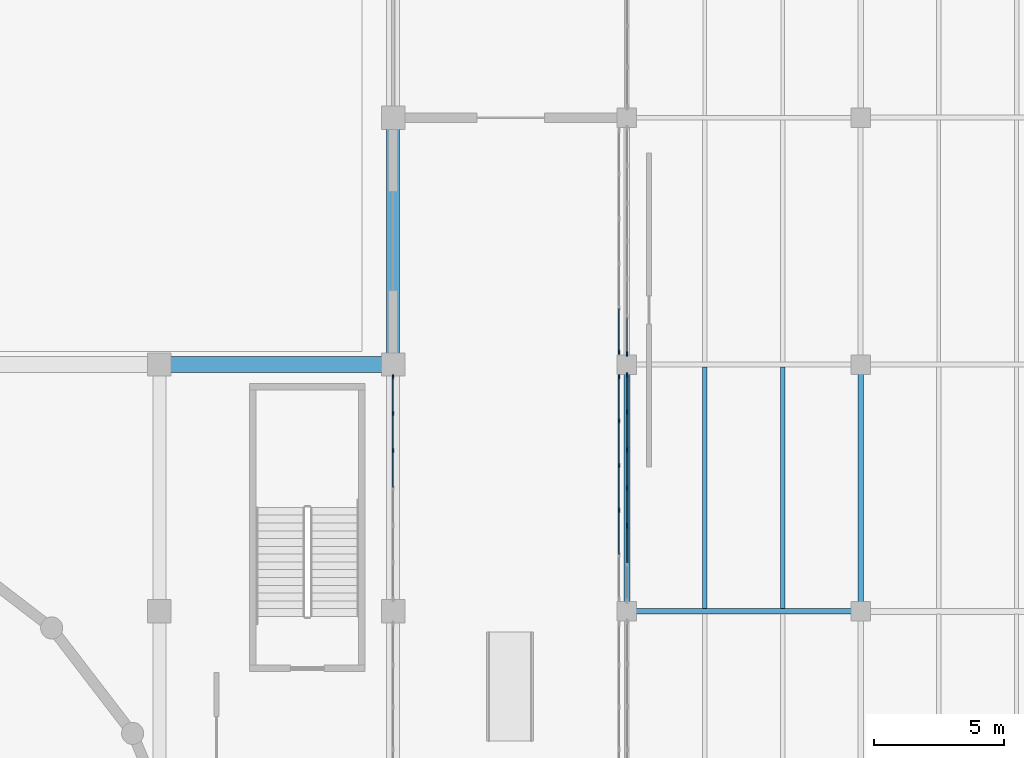
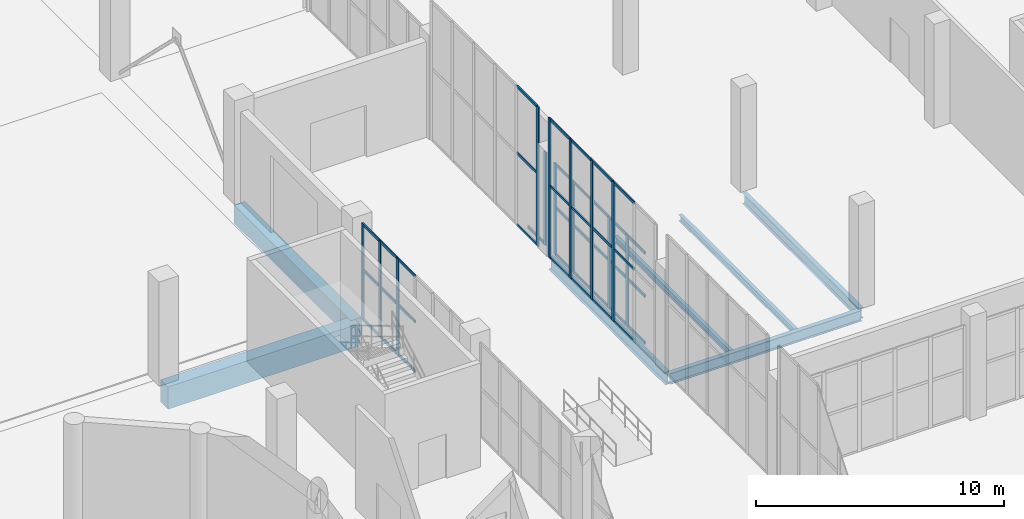
# One storey, part 53 of 103: 54 members, 7 beams, 5 elements without a shape of their own.
"""IFC4 building model written with IfcOpenShell, lengths in metres."""

from ifc_helpers import new_model, si_unit, direction, frame, origin, origin_2d, place, context, subcontext, project, spatial, rectangle, i_section, extrude, material, layer, layer_set, material_profile, profile_set, type_object, element, aggregate, save


model = new_model("IFC4")

# Units and contexts
model_context = context("Model", 3, precision=1e-05, world=origin(), true_north=direction((0.0, 1.0)))
body_context = subcontext(model_context, "Body", "Model", "MODEL_VIEW")
ifc_project = project(units=[si_unit("LENGTHUNIT", "METRE"), si_unit("AREAUNIT", "SQUARE_METRE"), si_unit("VOLUMEUNIT", "CUBIC_METRE"), si_unit("PLANEANGLEUNIT", "RADIAN"), si_unit("MASSUNIT", "GRAM", prefix="KILO")], contexts=[model_context])

# Site, building, storey
site_placement = place(None, origin())
site = spatial("IfcSite", under=ifc_project, at=site_placement, CompositionType="ELEMENT")
building_placement = place(site_placement, origin())
building = spatial("IfcBuilding", under=site, at=building_placement, Name="Marnock Terrace Opera House", CompositionType="ELEMENT")
storey_placement = place(building_placement, origin())
storey = spatial("IfcBuildingStorey", under=building, at=storey_placement, Name="L00", CompositionType="ELEMENT", Elevation=0.0)

# Beams
ifc_material_1 = material(Name="Concrete N40 (f'c = 40 MPa)", Category="concrete")
ifc_material_profile_1 = material_profile(ifc_material_1, rectangle(XDim=0.5, YDim=0.89990234375, at=origin_2d()))
ifc_profile_set_1 = profile_set([ifc_material_profile_1], Name="Concrete N40 (f'c = 40 MPa)")
beam_type_1 = type_object("IfcBeamType", Name="BM-B1-RC500", PredefinedType="BEAM", material=ifc_profile_set_1)
beam_1_placement = place(storey_placement, frame((109.0, 84.550048828125, -0.75), z_axis=(0.0, 1.0, 0.0), x_axis=(-1.0, 0.0, 0.0)))
element("IfcBeam", 1, at=beam_1_placement, inside=storey, type_object=beam_type_1, Name="L00 girder (X=109.0, 84.5..94.0)", PredefinedType="BEAM", context=body_context, shape_type="SweptSolid", body=[
    extrude(rectangle(XDim=0.5, YDim=0.89990234375, at=origin_2d()), origin(), (0.0, 0.0, 1.0), 9.39990234375),
])
ifc_material_profile_2 = material_profile(ifc_material_1, rectangle(XDim=0.60009765625, YDim=1.10009765625, at=origin_2d()))
ifc_profile_set_2 = profile_set([ifc_material_profile_2], Name="Concrete N40 (f'c = 40 MPa)")
beam_type_2 = type_object("IfcBeamType", Name="BM-B1-RC600", PredefinedType="BEAM", material=ifc_profile_set_2)
beam_2_placement = place(storey_placement, frame((100.050048828125, 84.5, -0.85009765625), z_axis=(1.0, 0.0, 0.0), x_axis=(0.0, 1.0, 0.0)))
element("IfcBeam", 2, at=beam_2_placement, inside=storey, type_object=beam_type_2, Name="L00 girder (100.0..109.0, Y=84.5)", PredefinedType="BEAM", context=body_context, shape_type="SweptSolid", body=[
    extrude(rectangle(XDim=0.60009765625, YDim=1.10009765625, at=origin_2d()), origin(), (0.0, 0.0, 1.0), 8.89990234375),
])
ifc_material_2 = material(Name="Steel Grade 350 (AS/NZS 3679.1)", Category="steel")
ifc_material_profile_3 = material_profile(ifc_material_2, i_section(OverallWidth=0.208984375, OverallDepth=0.532958984375, WebThickness=0.01025390625, FlangeThickness=0.015625, FilletRadius=0.013916015625, at=origin_2d()))
ifc_profile_set_3 = profile_set([ifc_material_profile_3], Name="Steel Grade 350 (AS/NZS 3679.1)")
beam_type_3 = type_object("IfcBeamType", Name="BM-GIRD-530A", PredefinedType="BEAM", material=ifc_profile_set_3)
beam_3_placement = place(storey_placement, frame((118.050048828125, 75.0, -0.56640625), z_axis=(1.0, 0.0, 0.0), x_axis=(0.0, 1.0, 0.0)))
element("IfcBeam", 3, at=beam_3_placement, inside=storey, type_object=beam_type_3, Name="L00 girder (118.0..127.0, Y=75.0)", PredefinedType="BEAM", context=body_context, shape_type="SweptSolid", body=[
    extrude(i_section(OverallWidth=0.208984375, OverallDepth=0.532958984375, WebThickness=0.01025390625, FlangeThickness=0.015625, FilletRadius=0.013916015625, at=origin_2d()), origin(), (0.0, 0.0, 1.0), 8.89990234375),
])
ifc_material_profile_4 = material_profile(ifc_material_2, i_section(OverallWidth=0.208984375, OverallDepth=0.528076171875, WebThickness=0.009521484375, FlangeThickness=0.01318359375, FilletRadius=0.013916015625, at=origin_2d()))
ifc_profile_set_4 = profile_set([ifc_material_profile_4], Name="Steel Grade 350 (AS/NZS 3679.1)")
beam_type_4 = type_object("IfcBeamType", Name="BM-GIRD-530B", PredefinedType="BEAM", material=ifc_profile_set_4)
beam_4_placement = place(storey_placement, frame((127.0, 75.050048828125, -0.56396484375), z_axis=(0.0, 1.0, 0.0), x_axis=(-1.0, 0.0, 0.0)))
element("IfcBeam", 4, at=beam_4_placement, inside=storey, type_object=beam_type_4, Name="L00 girder (X=127.0, 75.0..84.5)", PredefinedType="BEAM", context=body_context, shape_type="SweptSolid", body=[
    extrude(i_section(OverallWidth=0.208984375, OverallDepth=0.528076171875, WebThickness=0.009521484375, FlangeThickness=0.01318359375, FilletRadius=0.013916015625, at=origin_2d()), origin(), (0.0, 0.0, 1.0), 9.39990234375),
])
ifc_material_profile_5 = material_profile(ifc_material_2, i_section(OverallWidth=0.22802734375, OverallDepth=0.60205078125, WebThickness=0.010498046875, FlangeThickness=0.014892578125, FilletRadius=0.013916015625, at=origin_2d()))
ifc_profile_set_5 = profile_set([ifc_material_profile_5], Name="Steel Grade 350 (AS/NZS 3679.1)")
beam_type_5 = type_object("IfcBeamType", Name="BM-GIRD-610C", PredefinedType="BEAM", material=ifc_profile_set_5)
beam_5_placement = place(storey_placement, frame((118.0, 75.050048828125, -0.60107421875), z_axis=(0.0, 1.0, 0.0), x_axis=(-1.0, 0.0, 0.0)))
element("IfcBeam", 5, at=beam_5_placement, inside=storey, type_object=beam_type_5, Name="L00 girder (X=118.0, 75.0..84.5)", PredefinedType="BEAM", context=body_context, shape_type="SweptSolid", body=[
    extrude(i_section(OverallWidth=0.22802734375, OverallDepth=0.60205078125, WebThickness=0.010498046875, FlangeThickness=0.014892578125, FilletRadius=0.013916015625, at=origin_2d()), origin(), (0.0, 0.0, 1.0), 9.39990234375),
])
ifc_material_profile_6 = material_profile(ifc_material_2, i_section(OverallWidth=0.166015625, OverallDepth=0.30712890625, WebThickness=0.006591796875, FlangeThickness=0.01171875, FilletRadius=0.011474609375, at=origin_2d()))
ifc_profile_set_6 = profile_set([ifc_material_profile_6], Name="Steel Grade 350 (AS/NZS 3679.1)")
beam_type_6 = type_object("IfcBeamType", Name="BM-JOIST-310A", PredefinedType="JOIST", material=ifc_profile_set_6)
for number, where, z_axis, x_axis, name in (
    (6, (121.0, 75.099609375, -0.45361328125), (0.0, 1.0, 0.0), (-1.0, 0.0, 0.0), "L00 secondary joist 13.9.1"),
    (7, (124.0, 75.099609375, -0.45361328125), (0.0, 1.0, 0.0), (-1.0, 0.0, 0.0), "L00 secondary joist 13.9.2"),
):
    element("IfcBeam", number, at=place(storey_placement, frame(where, z_axis=z_axis, x_axis=x_axis)), inside=storey, type_object=beam_type_6, Name=name, PredefinedType="JOIST", context=body_context, shape_type="SweptSolid", body=[
        extrude(i_section(OverallWidth=0.166015625, OverallDepth=0.30712890625, WebThickness=0.006591796875, FlangeThickness=0.01171875, FilletRadius=0.011474609375, at=origin_2d()), origin(), (0.0, 0.0, 1.0), 9.309814453125),
    ])

# Curtain wall, members
ifc_material_3 = material(Name="Anodised architectural bronze aluminium framing", Category="aluminium")
ifc_layer_1 = layer(ifc_material_3, 0.159912109375)
ifc_layer_set_1 = layer_set([ifc_layer_1], Name="Anodised architectural bronze aluminium framing")
curtain_wall_type_1 = type_object("IfcCurtainWallType", Name="CW-FOYER-90x51", PredefinedType="NOTDEFINED", material=ifc_layer_set_1)
curtain_wall_1_placement = place(storey_placement, origin())
curtain_wall_1 = element("IfcCurtainWall", 8, at=curtain_wall_1_placement, inside=storey, type_object=curtain_wall_type_1, Name="L00 glazed Beaux-Arts colonnade curtain wall CW-V1E-L00-09", PredefinedType="NOTDEFINED")
ifc_material_profile_7 = material_profile(ifc_material_3, rectangle(XDim=0.06494140625, YDim=0.179931640625, at=origin_2d()))
ifc_profile_set_7 = profile_set([ifc_material_profile_7], Name="Anodised architectural bronze aluminium framing")
member_type_1 = type_object("IfcMemberType", Name="CWM-65x180", PredefinedType="MULLION", material=ifc_profile_set_7)
member_1_placement = place(storey_placement, frame((109.0, 81.1845703125, 0.0), z_axis=(0.0, 0.0, 1.0), x_axis=(-1.0, 0.0, 0.0)))
member_1 = element("IfcMember", 9, at=member_1_placement, type_object=member_type_1, Name="CW-31 mullion 5", PredefinedType="MULLION", context=body_context, shape_type="SweptSolid", body=[
    extrude(rectangle(XDim=0.06494140625, YDim=0.179931640625, at=origin_2d()), origin(), (0.0, 0.0, 1.0), 4.734375),
])
member_2_placement = place(storey_placement, frame((109.0, 82.619384765625, 0.0), z_axis=(0.0, 0.0, 1.0), x_axis=(-1.0, 0.0, 0.0)))
member_2 = element("IfcMember", 10, at=member_2_placement, type_object=member_type_1, Name="CW-31 mullion 6", PredefinedType="MULLION", context=body_context, shape_type="SweptSolid", body=[
    extrude(rectangle(XDim=0.06494140625, YDim=0.179931640625, at=origin_2d()), origin(), (0.0, 0.0, 1.0), 4.734375),
])
member_3_placement = place(storey_placement, frame((109.0, 84.02392578125, 0.0), z_axis=(0.0, 0.0, 1.0), x_axis=(-1.0, 0.0, 0.0)))
member_3 = element("IfcMember", 11, at=member_3_placement, type_object=member_type_1, Name="CW-31 mullion 7", PredefinedType="MULLION", context=body_context, shape_type="SweptSolid", body=[
    extrude(rectangle(XDim=0.06494140625, YDim=0.179931640625, at=origin_2d()), origin(), (0.0, 0.0, 1.0), 4.734375),
])

ifc_layer_2 = layer(ifc_material_3, 0.159912109375)
ifc_layer_set_2 = layer_set([ifc_layer_2], Name="Anodised architectural bronze aluminium framing")
curtain_wall_type_2 = type_object("IfcCurtainWallType", Name="CW-FOYER-95x51", PredefinedType="NOTDEFINED", material=ifc_layer_set_2)
curtain_wall_2_placement = place(storey_placement, origin())
curtain_wall_2 = element("IfcCurtainWall", 12, at=curtain_wall_2_placement, inside=storey, type_object=curtain_wall_type_2, Name="L00 glazed Beaux-Arts colonnade curtain wall CW-V5-L00-W6", PredefinedType="NOTDEFINED")
member_4_placement = place(storey_placement, frame((118.0, 78.290283203125, 0.0), z_axis=(0.0, 0.0, 1.0), x_axis=(-1.0, 0.0, 0.0)))
member_4 = element("IfcMember", 13, at=member_4_placement, type_object=member_type_1, Name="CW-24 mullion 3", PredefinedType="MULLION", context=body_context, shape_type="SweptSolid", body=[
    extrude(rectangle(XDim=0.06494140625, YDim=0.179931640625, at=origin_2d()), origin(), (0.0, 0.0, 1.0), 4.488037109375),
])
member_5_placement = place(storey_placement, frame((118.0, 79.75, 0.0), z_axis=(0.0, 0.0, 1.0), x_axis=(-1.0, 0.0, 0.0)))
member_5 = element("IfcMember", 14, at=member_5_placement, type_object=member_type_1, Name="CW-24 mullion 4", PredefinedType="MULLION", context=body_context, shape_type="SweptSolid", body=[
    extrude(rectangle(XDim=0.06494140625, YDim=0.179931640625, at=origin_2d()), origin(), (0.0, 0.0, 1.0), 4.488037109375),
])
member_6_placement = place(storey_placement, frame((118.0, 81.209716796875, 0.0), z_axis=(0.0, 0.0, 1.0), x_axis=(-1.0, 0.0, 0.0)))
member_6 = element("IfcMember", 15, at=member_6_placement, type_object=member_type_1, Name="CW-24 mullion 5", PredefinedType="MULLION", context=body_context, shape_type="SweptSolid", body=[
    extrude(rectangle(XDim=0.06494140625, YDim=0.179931640625, at=origin_2d()), origin(), (0.0, 0.0, 1.0), 4.488037109375),
])
member_7_placement = place(storey_placement, frame((118.0, 82.66943359375, 0.0), z_axis=(0.0, 0.0, 1.0), x_axis=(-1.0, 0.0, 0.0)))
member_7 = element("IfcMember", 16, at=member_7_placement, type_object=member_type_1, Name="CW-24 mullion 6", PredefinedType="MULLION", context=body_context, shape_type="SweptSolid", body=[
    extrude(rectangle(XDim=0.06494140625, YDim=0.179931640625, at=origin_2d()), origin(), (0.0, 0.0, 1.0), 4.488037109375),
])
member_8_placement = place(storey_placement, frame((118.0, 84.09912109375, 0.0), z_axis=(0.0, 0.0, 1.0), x_axis=(-1.0, 0.0, 0.0)))
member_8 = element("IfcMember", 17, at=member_8_placement, type_object=member_type_1, Name="CW-24 mullion 7", PredefinedType="MULLION", context=body_context, shape_type="SweptSolid", body=[
    extrude(rectangle(XDim=0.06494140625, YDim=0.179931640625, at=origin_2d()), origin(), (0.0, 0.0, 1.0), 4.488037109375),
])

# Curtain wall, member
curtain_wall_3_placement = place(storey_placement, origin())
curtain_wall_3 = element("IfcCurtainWall", 18, at=curtain_wall_3_placement, inside=storey, type_object=curtain_wall_type_2, Name="L00 glazed Beaux-Arts colonnade curtain wall CW-V5-L00-W7", PredefinedType="NOTDEFINED")
member_9_placement = place(storey_placement, frame((118.0, 84.90087890625, 0.0), z_axis=(0.0, 0.0, 1.0), x_axis=(-1.0, 0.0, 0.0)))
member_9 = element("IfcMember", 19, at=member_9_placement, type_object=member_type_1, Name="CW-24 mullion 1", PredefinedType="MULLION", context=body_context, shape_type="SweptSolid", body=[
    extrude(rectangle(XDim=0.06494140625, YDim=0.179931640625, at=origin_2d()), origin(), (0.0, 0.0, 1.0), 4.56201171875),
])

# Curtain wall, members
ifc_layer_3 = layer(ifc_material_3, 0.159912109375)
ifc_layer_set_3 = layer_set([ifc_layer_3], Name="Anodised architectural bronze aluminium framing")
curtain_wall_type_3 = type_object("IfcCurtainWallType", Name="CW-PASSAGE-81x68", PredefinedType="NOTDEFINED", material=ifc_layer_set_3)
curtain_wall_4_placement = place(storey_placement, origin())
curtain_wall_4 = element("IfcCurtainWall", 20, at=curtain_wall_4_placement, inside=storey, type_object=curtain_wall_type_3, Name="L00 glazed Beaux-Arts colonnade curtain wall CW-PASSAGE-L00-09", PredefinedType="NOTDEFINED")
member_10_placement = place(storey_placement, frame((117.699951171875, 78.889892578125, 0.0), z_axis=(0.0, 0.0, 1.0), x_axis=(-1.0, 0.0, 0.0)))
member_10 = element("IfcMember", 21, at=member_10_placement, type_object=member_type_1, Name="CW-65 mullion 3", PredefinedType="MULLION", context=body_context, shape_type="SweptSolid", body=[
    extrude(rectangle(XDim=0.06494140625, YDim=0.179931640625, at=origin_2d()), origin(), (0.0, 0.0, 1.0), 6.85009765625),
])
member_11_placement = place(storey_placement, frame((117.699951171875, 80.610107421875, 0.0), z_axis=(0.0, 0.0, 1.0), x_axis=(-1.0, 0.0, 0.0)))
member_11 = element("IfcMember", 22, at=member_11_placement, type_object=member_type_1, Name="CW-65 mullion 4", PredefinedType="MULLION", context=body_context, shape_type="SweptSolid", body=[
    extrude(rectangle(XDim=0.06494140625, YDim=0.179931640625, at=origin_2d()), origin(), (0.0, 0.0, 1.0), 6.85009765625),
])
member_12_placement = place(storey_placement, frame((117.699951171875, 82.330078125, 0.0), z_axis=(0.0, 0.0, 1.0), x_axis=(-1.0, 0.0, 0.0)))
member_12 = element("IfcMember", 23, at=member_12_placement, type_object=member_type_1, Name="CW-65 mullion 5", PredefinedType="MULLION", context=body_context, shape_type="SweptSolid", body=[
    extrude(rectangle(XDim=0.06494140625, YDim=0.179931640625, at=origin_2d()), origin(), (0.0, 0.0, 1.0), 6.85009765625),
])
member_13_placement = place(storey_placement, frame((117.699951171875, 84.02001953125, 0.0), z_axis=(0.0, 0.0, 1.0), x_axis=(-1.0, 0.0, 0.0)))
member_13 = element("IfcMember", 24, at=member_13_placement, type_object=member_type_1, Name="CW-65 mullion 6", PredefinedType="MULLION", context=body_context, shape_type="SweptSolid", body=[
    extrude(rectangle(XDim=0.06494140625, YDim=0.179931640625, at=origin_2d()), origin(), (0.0, 0.0, 1.0), 6.85009765625),
])

# Curtain wall, member
curtain_wall_5_placement = place(storey_placement, origin())
curtain_wall_5 = element("IfcCurtainWall", 25, at=curtain_wall_5_placement, inside=storey, type_object=curtain_wall_type_3, Name="L00 glazed Beaux-Arts colonnade curtain wall CW-PASSAGE-L00-10", PredefinedType="NOTDEFINED")
member_14_placement = place(storey_placement, frame((117.699951171875, 84.97998046875, 0.0), z_axis=(0.0, 0.0, 1.0), x_axis=(-1.0, 0.0, 0.0)))
member_14 = element("IfcMember", 26, at=member_14_placement, type_object=member_type_1, Name="CW-65 mullion 1", PredefinedType="MULLION", context=body_context, shape_type="SweptSolid", body=[
    extrude(rectangle(XDim=0.06494140625, YDim=0.179931640625, at=origin_2d()), origin(), (0.0, 0.0, 1.0), 6.85009765625),
])

# Member
ifc_material_profile_8 = material_profile(ifc_material_3, rectangle(XDim=0.06005859375, YDim=0.1298828125, at=origin_2d()))
ifc_profile_set_8 = profile_set([ifc_material_profile_8], Name="Anodised architectural bronze aluminium framing")
member_type_2 = type_object("IfcMemberType", Name="CWT-60x130", PredefinedType="USERDEFINED", material=ifc_profile_set_8)
member_15_placement = place(storey_placement, frame((109.0, 79.780029296875, 0.030029296875), z_axis=(0.0, 1.0, 0.0), x_axis=(-1.0, 0.0, 0.0)))
member_15 = element("IfcMember", 27, at=member_15_placement, type_object=member_type_2, Name="CW-31 transom 4.1", ObjectType="TRANSOM", PredefinedType="USERDEFINED", context=body_context, shape_type="SweptSolid", body=[
    extrude(rectangle(XDim=0.06005859375, YDim=0.1298828125, at=origin_2d()), origin(), (0.0, 0.0, 1.0), 1.374755859375),
])

member_16_placement = place(storey_placement, frame((109.0, 79.780029296875, 2.4619140625), z_axis=(0.0, 1.0, 0.0), x_axis=(-1.0, 0.0, 0.0)))
member_16 = element("IfcMember", 28, at=member_16_placement, type_object=member_type_2, Name="CW-31 transom 4.2", ObjectType="TRANSOM", PredefinedType="USERDEFINED", context=body_context, shape_type="SweptSolid", body=[
    extrude(rectangle(XDim=0.06005859375, YDim=0.1298828125, at=origin_2d()), origin(), (0.0, 0.0, 1.0), 1.374755859375),
])

member_17_placement = place(storey_placement, frame((109.0, 79.780029296875, 4.704345703125), z_axis=(0.0, 1.0, 0.0), x_axis=(-1.0, 0.0, 0.0)))
member_17 = element("IfcMember", 29, at=member_17_placement, type_object=member_type_2, Name="CW-31 transom 4.3", ObjectType="TRANSOM", PredefinedType="USERDEFINED", context=body_context, shape_type="SweptSolid", body=[
    extrude(rectangle(XDim=0.06005859375, YDim=0.1298828125, at=origin_2d()), origin(), (0.0, 0.0, 1.0), 1.374755859375),
])

member_18_placement = place(storey_placement, frame((109.0, 81.214599609375, 0.030029296875), z_axis=(0.0, 1.0, 0.0), x_axis=(-1.0, 0.0, 0.0)))
member_18 = element("IfcMember", 30, at=member_18_placement, type_object=member_type_2, Name="CW-31 transom 5.1", ObjectType="TRANSOM", PredefinedType="USERDEFINED", context=body_context, shape_type="SweptSolid", body=[
    extrude(rectangle(XDim=0.06005859375, YDim=0.1298828125, at=origin_2d()), origin(), (0.0, 0.0, 1.0), 1.374755859375),
])

member_19_placement = place(storey_placement, frame((109.0, 81.214599609375, 2.4619140625), z_axis=(0.0, 1.0, 0.0), x_axis=(-1.0, 0.0, 0.0)))
member_19 = element("IfcMember", 31, at=member_19_placement, type_object=member_type_2, Name="CW-31 transom 5.2", ObjectType="TRANSOM", PredefinedType="USERDEFINED", context=body_context, shape_type="SweptSolid", body=[
    extrude(rectangle(XDim=0.06005859375, YDim=0.1298828125, at=origin_2d()), origin(), (0.0, 0.0, 1.0), 1.374755859375),
])

member_20_placement = place(storey_placement, frame((109.0, 81.214599609375, 4.704345703125), z_axis=(0.0, 1.0, 0.0), x_axis=(-1.0, 0.0, 0.0)))
member_20 = element("IfcMember", 32, at=member_20_placement, type_object=member_type_2, Name="CW-31 transom 5.3", ObjectType="TRANSOM", PredefinedType="USERDEFINED", context=body_context, shape_type="SweptSolid", body=[
    extrude(rectangle(XDim=0.06005859375, YDim=0.1298828125, at=origin_2d()), origin(), (0.0, 0.0, 1.0), 1.374755859375),
])

member_21_placement = place(storey_placement, frame((109.0, 82.6494140625, 0.030029296875), z_axis=(0.0, 1.0, 0.0), x_axis=(-1.0, 0.0, 0.0)))
member_21 = element("IfcMember", 33, at=member_21_placement, type_object=member_type_2, Name="CW-31 transom 6.1", ObjectType="TRANSOM", PredefinedType="USERDEFINED", context=body_context, shape_type="SweptSolid", body=[
    extrude(rectangle(XDim=0.06005859375, YDim=0.1298828125, at=origin_2d()), origin(), (0.0, 0.0, 1.0), 1.344482421875),
])

member_22_placement = place(storey_placement, frame((109.0, 82.6494140625, 2.4619140625), z_axis=(0.0, 1.0, 0.0), x_axis=(-1.0, 0.0, 0.0)))
member_22 = element("IfcMember", 34, at=member_22_placement, type_object=member_type_2, Name="CW-31 transom 6.2", ObjectType="TRANSOM", PredefinedType="USERDEFINED", context=body_context, shape_type="SweptSolid", body=[
    extrude(rectangle(XDim=0.06005859375, YDim=0.1298828125, at=origin_2d()), origin(), (0.0, 0.0, 1.0), 1.344482421875),
])

member_23_placement = place(storey_placement, frame((109.0, 82.6494140625, 4.704345703125), z_axis=(0.0, 1.0, 0.0), x_axis=(-1.0, 0.0, 0.0)))
member_23 = element("IfcMember", 35, at=member_23_placement, type_object=member_type_2, Name="CW-31 transom 6.3", ObjectType="TRANSOM", PredefinedType="USERDEFINED", context=body_context, shape_type="SweptSolid", body=[
    extrude(rectangle(XDim=0.06005859375, YDim=0.1298828125, at=origin_2d()), origin(), (0.0, 0.0, 1.0), 1.344482421875),
])

aggregate(curtain_wall_1, [member_1, member_2, member_3, member_15, member_16, member_17, member_18, member_19, member_20, member_21, member_22, member_23])

member_24_placement = place(storey_placement, frame((118.0, 76.860595703125, 0.030029296875), z_axis=(0.0, 1.0, 0.0), x_axis=(-1.0, 0.0, 0.0)))
member_24 = element("IfcMember", 36, at=member_24_placement, type_object=member_type_2, Name="CW-24 transom 2.1", ObjectType="TRANSOM", PredefinedType="USERDEFINED", context=body_context, shape_type="SweptSolid", body=[
    extrude(rectangle(XDim=0.06005859375, YDim=0.1298828125, at=origin_2d()), origin(), (0.0, 0.0, 1.0), 1.399658203125),
])

member_25_placement = place(storey_placement, frame((118.0, 76.860595703125, 2.333740234375), z_axis=(0.0, 1.0, 0.0), x_axis=(-1.0, 0.0, 0.0)))
member_25 = element("IfcMember", 37, at=member_25_placement, type_object=member_type_2, Name="CW-24 transom 2.2", ObjectType="TRANSOM", PredefinedType="USERDEFINED", context=body_context, shape_type="SweptSolid", body=[
    extrude(rectangle(XDim=0.06005859375, YDim=0.1298828125, at=origin_2d()), origin(), (0.0, 0.0, 1.0), 1.399658203125),
])

member_26_placement = place(storey_placement, frame((118.0, 76.860595703125, 4.4580078125), z_axis=(0.0, 1.0, 0.0), x_axis=(-1.0, 0.0, 0.0)))
member_26 = element("IfcMember", 38, at=member_26_placement, type_object=member_type_2, Name="CW-24 transom 2.3", ObjectType="TRANSOM", PredefinedType="USERDEFINED", context=body_context, shape_type="SweptSolid", body=[
    extrude(rectangle(XDim=0.06005859375, YDim=0.1298828125, at=origin_2d()), origin(), (0.0, 0.0, 1.0), 1.399658203125),
])

member_27_placement = place(storey_placement, frame((118.0, 78.3203125, 0.030029296875), z_axis=(0.0, 1.0, 0.0), x_axis=(-1.0, 0.0, 0.0)))
member_27 = element("IfcMember", 39, at=member_27_placement, type_object=member_type_2, Name="CW-24 transom 3.1", ObjectType="TRANSOM", PredefinedType="USERDEFINED", context=body_context, shape_type="SweptSolid", body=[
    extrude(rectangle(XDim=0.06005859375, YDim=0.1298828125, at=origin_2d()), origin(), (0.0, 0.0, 1.0), 1.399658203125),
])

member_28_placement = place(storey_placement, frame((118.0, 78.3203125, 2.333740234375), z_axis=(0.0, 1.0, 0.0), x_axis=(-1.0, 0.0, 0.0)))
member_28 = element("IfcMember", 40, at=member_28_placement, type_object=member_type_2, Name="CW-24 transom 3.2", ObjectType="TRANSOM", PredefinedType="USERDEFINED", context=body_context, shape_type="SweptSolid", body=[
    extrude(rectangle(XDim=0.06005859375, YDim=0.1298828125, at=origin_2d()), origin(), (0.0, 0.0, 1.0), 1.399658203125),
])

member_29_placement = place(storey_placement, frame((118.0, 78.3203125, 4.4580078125), z_axis=(0.0, 1.0, 0.0), x_axis=(-1.0, 0.0, 0.0)))
member_29 = element("IfcMember", 41, at=member_29_placement, type_object=member_type_2, Name="CW-24 transom 3.3", ObjectType="TRANSOM", PredefinedType="USERDEFINED", context=body_context, shape_type="SweptSolid", body=[
    extrude(rectangle(XDim=0.06005859375, YDim=0.1298828125, at=origin_2d()), origin(), (0.0, 0.0, 1.0), 1.399658203125),
])

member_30_placement = place(storey_placement, frame((118.0, 79.780029296875, 0.030029296875), z_axis=(0.0, 1.0, 0.0), x_axis=(-1.0, 0.0, 0.0)))
member_30 = element("IfcMember", 42, at=member_30_placement, type_object=member_type_2, Name="CW-24 transom 4.1", ObjectType="TRANSOM", PredefinedType="USERDEFINED", context=body_context, shape_type="SweptSolid", body=[
    extrude(rectangle(XDim=0.06005859375, YDim=0.1298828125, at=origin_2d()), origin(), (0.0, 0.0, 1.0), 1.399658203125),
])

member_31_placement = place(storey_placement, frame((118.0, 79.780029296875, 2.333740234375), z_axis=(0.0, 1.0, 0.0), x_axis=(-1.0, 0.0, 0.0)))
member_31 = element("IfcMember", 43, at=member_31_placement, type_object=member_type_2, Name="CW-24 transom 4.2", ObjectType="TRANSOM", PredefinedType="USERDEFINED", context=body_context, shape_type="SweptSolid", body=[
    extrude(rectangle(XDim=0.06005859375, YDim=0.1298828125, at=origin_2d()), origin(), (0.0, 0.0, 1.0), 1.399658203125),
])

member_32_placement = place(storey_placement, frame((118.0, 79.780029296875, 4.4580078125), z_axis=(0.0, 1.0, 0.0), x_axis=(-1.0, 0.0, 0.0)))
member_32 = element("IfcMember", 44, at=member_32_placement, type_object=member_type_2, Name="CW-24 transom 4.3", ObjectType="TRANSOM", PredefinedType="USERDEFINED", context=body_context, shape_type="SweptSolid", body=[
    extrude(rectangle(XDim=0.06005859375, YDim=0.1298828125, at=origin_2d()), origin(), (0.0, 0.0, 1.0), 1.399658203125),
])

member_33_placement = place(storey_placement, frame((118.0, 81.23974609375, 0.030029296875), z_axis=(0.0, 1.0, 0.0), x_axis=(-1.0, 0.0, 0.0)))
member_33 = element("IfcMember", 45, at=member_33_placement, type_object=member_type_2, Name="CW-24 transom 5.1", ObjectType="TRANSOM", PredefinedType="USERDEFINED", context=body_context, shape_type="SweptSolid", body=[
    extrude(rectangle(XDim=0.06005859375, YDim=0.1298828125, at=origin_2d()), origin(), (0.0, 0.0, 1.0), 1.399658203125),
])

member_34_placement = place(storey_placement, frame((118.0, 81.23974609375, 2.333740234375), z_axis=(0.0, 1.0, 0.0), x_axis=(-1.0, 0.0, 0.0)))
member_34 = element("IfcMember", 46, at=member_34_placement, type_object=member_type_2, Name="CW-24 transom 5.2", ObjectType="TRANSOM", PredefinedType="USERDEFINED", context=body_context, shape_type="SweptSolid", body=[
    extrude(rectangle(XDim=0.06005859375, YDim=0.1298828125, at=origin_2d()), origin(), (0.0, 0.0, 1.0), 1.399658203125),
])

member_35_placement = place(storey_placement, frame((118.0, 81.23974609375, 4.4580078125), z_axis=(0.0, 1.0, 0.0), x_axis=(-1.0, 0.0, 0.0)))
member_35 = element("IfcMember", 47, at=member_35_placement, type_object=member_type_2, Name="CW-24 transom 5.3", ObjectType="TRANSOM", PredefinedType="USERDEFINED", context=body_context, shape_type="SweptSolid", body=[
    extrude(rectangle(XDim=0.06005859375, YDim=0.1298828125, at=origin_2d()), origin(), (0.0, 0.0, 1.0), 1.399658203125),
])

member_36_placement = place(storey_placement, frame((118.0, 82.69921875, 0.030029296875), z_axis=(0.0, 1.0, 0.0), x_axis=(-1.0, 0.0, 0.0)))
member_36 = element("IfcMember", 48, at=member_36_placement, type_object=member_type_2, Name="CW-24 transom 6.1", ObjectType="TRANSOM", PredefinedType="USERDEFINED", context=body_context, shape_type="SweptSolid", body=[
    extrude(rectangle(XDim=0.06005859375, YDim=0.1298828125, at=origin_2d()), origin(), (0.0, 0.0, 1.0), 1.369873046875),
])

member_37_placement = place(storey_placement, frame((118.0, 82.69921875, 2.333740234375), z_axis=(0.0, 1.0, 0.0), x_axis=(-1.0, 0.0, 0.0)))
member_37 = element("IfcMember", 49, at=member_37_placement, type_object=member_type_2, Name="CW-24 transom 6.2", ObjectType="TRANSOM", PredefinedType="USERDEFINED", context=body_context, shape_type="SweptSolid", body=[
    extrude(rectangle(XDim=0.06005859375, YDim=0.1298828125, at=origin_2d()), origin(), (0.0, 0.0, 1.0), 1.369873046875),
])

member_38_placement = place(storey_placement, frame((118.0, 82.69921875, 4.4580078125), z_axis=(0.0, 1.0, 0.0), x_axis=(-1.0, 0.0, 0.0)))
member_38 = element("IfcMember", 50, at=member_38_placement, type_object=member_type_2, Name="CW-24 transom 6.3", ObjectType="TRANSOM", PredefinedType="USERDEFINED", context=body_context, shape_type="SweptSolid", body=[
    extrude(rectangle(XDim=0.06005859375, YDim=0.1298828125, at=origin_2d()), origin(), (0.0, 0.0, 1.0), 1.369873046875),
])

aggregate(curtain_wall_2, [member_4, member_5, member_6, member_7, member_8, member_24, member_25, member_26, member_27, member_28, member_29, member_30, member_31, member_32, member_33, member_34, member_35, member_36, member_37, member_38])

member_39_placement = place(storey_placement, frame((118.0, 84.930908203125, 0.030029296875), z_axis=(0.0, 1.0, 0.0), x_axis=(-1.0, 0.0, 0.0)))
member_39 = element("IfcMember", 51, at=member_39_placement, type_object=member_type_2, Name="CW-24 transom 1.1", ObjectType="TRANSOM", PredefinedType="USERDEFINED", context=body_context, shape_type="SweptSolid", body=[
    extrude(rectangle(XDim=0.06005859375, YDim=0.1298828125, at=origin_2d()), origin(), (0.0, 0.0, 1.0), 1.369873046875),
])

aggregate(curtain_wall_3, [member_9, member_39])

member_40_placement = place(storey_placement, frame((117.699951171875, 77.199951171875, 0.030029296875), z_axis=(0.0, 1.0, 0.0), x_axis=(-1.0, 0.0, 0.0)))
member_40 = element("IfcMember", 52, at=member_40_placement, type_object=member_type_2, Name="CW-65 transom 2.1", ObjectType="TRANSOM", PredefinedType="USERDEFINED", context=body_context, shape_type="SweptSolid", body=[
    extrude(rectangle(XDim=0.06005859375, YDim=0.1298828125, at=origin_2d()), origin(), (0.0, 0.0, 1.0), 1.66015625),
])

member_41_placement = place(storey_placement, frame((117.699951171875, 77.199951171875, 3.56201171875), z_axis=(0.0, 1.0, 0.0), x_axis=(-1.0, 0.0, 0.0)))
member_41 = element("IfcMember", 53, at=member_41_placement, type_object=member_type_2, Name="CW-65 transom 2.2", ObjectType="TRANSOM", PredefinedType="USERDEFINED", context=body_context, shape_type="SweptSolid", body=[
    extrude(rectangle(XDim=0.06005859375, YDim=0.1298828125, at=origin_2d()), origin(), (0.0, 0.0, 1.0), 1.66015625),
])

member_42_placement = place(storey_placement, frame((117.699951171875, 77.199951171875, 6.820068359375), z_axis=(0.0, 1.0, 0.0), x_axis=(-1.0, 0.0, 0.0)))
member_42 = element("IfcMember", 54, at=member_42_placement, type_object=member_type_2, Name="CW-65 transom 2.3", ObjectType="TRANSOM", PredefinedType="USERDEFINED", context=body_context, shape_type="SweptSolid", body=[
    extrude(rectangle(XDim=0.06005859375, YDim=0.1298828125, at=origin_2d()), origin(), (0.0, 0.0, 1.0), 1.66015625),
])

member_43_placement = place(storey_placement, frame((117.699951171875, 78.919921875, 0.030029296875), z_axis=(0.0, 1.0, 0.0), x_axis=(-1.0, 0.0, 0.0)))
member_43 = element("IfcMember", 55, at=member_43_placement, type_object=member_type_2, Name="CW-65 transom 3.1", ObjectType="TRANSOM", PredefinedType="USERDEFINED", context=body_context, shape_type="SweptSolid", body=[
    extrude(rectangle(XDim=0.06005859375, YDim=0.1298828125, at=origin_2d()), origin(), (0.0, 0.0, 1.0), 1.66015625),
])

member_44_placement = place(storey_placement, frame((117.699951171875, 78.919921875, 3.56201171875), z_axis=(0.0, 1.0, 0.0), x_axis=(-1.0, 0.0, 0.0)))
member_44 = element("IfcMember", 56, at=member_44_placement, type_object=member_type_2, Name="CW-65 transom 3.2", ObjectType="TRANSOM", PredefinedType="USERDEFINED", context=body_context, shape_type="SweptSolid", body=[
    extrude(rectangle(XDim=0.06005859375, YDim=0.1298828125, at=origin_2d()), origin(), (0.0, 0.0, 1.0), 1.66015625),
])

member_45_placement = place(storey_placement, frame((117.699951171875, 78.919921875, 6.820068359375), z_axis=(0.0, 1.0, 0.0), x_axis=(-1.0, 0.0, 0.0)))
member_45 = element("IfcMember", 57, at=member_45_placement, type_object=member_type_2, Name="CW-65 transom 3.3", ObjectType="TRANSOM", PredefinedType="USERDEFINED", context=body_context, shape_type="SweptSolid", body=[
    extrude(rectangle(XDim=0.06005859375, YDim=0.1298828125, at=origin_2d()), origin(), (0.0, 0.0, 1.0), 1.66015625),
])

member_46_placement = place(storey_placement, frame((117.699951171875, 80.639892578125, 0.030029296875), z_axis=(0.0, 1.0, 0.0), x_axis=(-1.0, 0.0, 0.0)))
member_46 = element("IfcMember", 58, at=member_46_placement, type_object=member_type_2, Name="CW-65 transom 4.1", ObjectType="TRANSOM", PredefinedType="USERDEFINED", context=body_context, shape_type="SweptSolid", body=[
    extrude(rectangle(XDim=0.06005859375, YDim=0.1298828125, at=origin_2d()), origin(), (0.0, 0.0, 1.0), 1.66015625),
])

member_47_placement = place(storey_placement, frame((117.699951171875, 80.639892578125, 3.56201171875), z_axis=(0.0, 1.0, 0.0), x_axis=(-1.0, 0.0, 0.0)))
member_47 = element("IfcMember", 59, at=member_47_placement, type_object=member_type_2, Name="CW-65 transom 4.2", ObjectType="TRANSOM", PredefinedType="USERDEFINED", context=body_context, shape_type="SweptSolid", body=[
    extrude(rectangle(XDim=0.06005859375, YDim=0.1298828125, at=origin_2d()), origin(), (0.0, 0.0, 1.0), 1.66015625),
])

member_48_placement = place(storey_placement, frame((117.699951171875, 80.639892578125, 6.820068359375), z_axis=(0.0, 1.0, 0.0), x_axis=(-1.0, 0.0, 0.0)))
member_48 = element("IfcMember", 60, at=member_48_placement, type_object=member_type_2, Name="CW-65 transom 4.3", ObjectType="TRANSOM", PredefinedType="USERDEFINED", context=body_context, shape_type="SweptSolid", body=[
    extrude(rectangle(XDim=0.06005859375, YDim=0.1298828125, at=origin_2d()), origin(), (0.0, 0.0, 1.0), 1.66015625),
])

member_49_placement = place(storey_placement, frame((117.699951171875, 82.360107421875, 0.030029296875), z_axis=(0.0, 1.0, 0.0), x_axis=(-1.0, 0.0, 0.0)))
member_49 = element("IfcMember", 61, at=member_49_placement, type_object=member_type_2, Name="CW-65 transom 5.1", ObjectType="TRANSOM", PredefinedType="USERDEFINED", context=body_context, shape_type="SweptSolid", body=[
    extrude(rectangle(XDim=0.06005859375, YDim=0.1298828125, at=origin_2d()), origin(), (0.0, 0.0, 1.0), 1.6298828125),
])

member_50_placement = place(storey_placement, frame((117.699951171875, 82.360107421875, 3.56201171875), z_axis=(0.0, 1.0, 0.0), x_axis=(-1.0, 0.0, 0.0)))
member_50 = element("IfcMember", 62, at=member_50_placement, type_object=member_type_2, Name="CW-65 transom 5.2", ObjectType="TRANSOM", PredefinedType="USERDEFINED", context=body_context, shape_type="SweptSolid", body=[
    extrude(rectangle(XDim=0.06005859375, YDim=0.1298828125, at=origin_2d()), origin(), (0.0, 0.0, 1.0), 1.6298828125),
])

member_51_placement = place(storey_placement, frame((117.699951171875, 82.360107421875, 6.820068359375), z_axis=(0.0, 1.0, 0.0), x_axis=(-1.0, 0.0, 0.0)))
member_51 = element("IfcMember", 63, at=member_51_placement, type_object=member_type_2, Name="CW-65 transom 5.3", ObjectType="TRANSOM", PredefinedType="USERDEFINED", context=body_context, shape_type="SweptSolid", body=[
    extrude(rectangle(XDim=0.06005859375, YDim=0.1298828125, at=origin_2d()), origin(), (0.0, 0.0, 1.0), 1.6298828125),
])

aggregate(curtain_wall_4, [member_10, member_11, member_12, member_13, member_40, member_41, member_42, member_43, member_44, member_45, member_46, member_47, member_48, member_49, member_50, member_51])

member_52_placement = place(storey_placement, frame((117.699951171875, 85.010009765625, 0.030029296875), z_axis=(0.0, 1.0, 0.0), x_axis=(-1.0, 0.0, 0.0)))
member_52 = element("IfcMember", 64, at=member_52_placement, type_object=member_type_2, Name="CW-65 transom 1.1", ObjectType="TRANSOM", PredefinedType="USERDEFINED", context=body_context, shape_type="SweptSolid", body=[
    extrude(rectangle(XDim=0.06005859375, YDim=0.1298828125, at=origin_2d()), origin(), (0.0, 0.0, 1.0), 1.6298828125),
])

member_53_placement = place(storey_placement, frame((117.699951171875, 85.010009765625, 3.56201171875), z_axis=(0.0, 1.0, 0.0), x_axis=(-1.0, 0.0, 0.0)))
member_53 = element("IfcMember", 65, at=member_53_placement, type_object=member_type_2, Name="CW-65 transom 1.2", ObjectType="TRANSOM", PredefinedType="USERDEFINED", context=body_context, shape_type="SweptSolid", body=[
    extrude(rectangle(XDim=0.06005859375, YDim=0.1298828125, at=origin_2d()), origin(), (0.0, 0.0, 1.0), 1.6298828125),
])

member_54_placement = place(storey_placement, frame((117.699951171875, 85.010009765625, 6.820068359375), z_axis=(0.0, 1.0, 0.0), x_axis=(-1.0, 0.0, 0.0)))
member_54 = element("IfcMember", 66, at=member_54_placement, type_object=member_type_2, Name="CW-65 transom 1.3", ObjectType="TRANSOM", PredefinedType="USERDEFINED", context=body_context, shape_type="SweptSolid", body=[
    extrude(rectangle(XDim=0.06005859375, YDim=0.1298828125, at=origin_2d()), origin(), (0.0, 0.0, 1.0), 1.6298828125),
])

aggregate(curtain_wall_5, [member_14, member_52, member_53, member_54])

save(model, "model.ifc")
